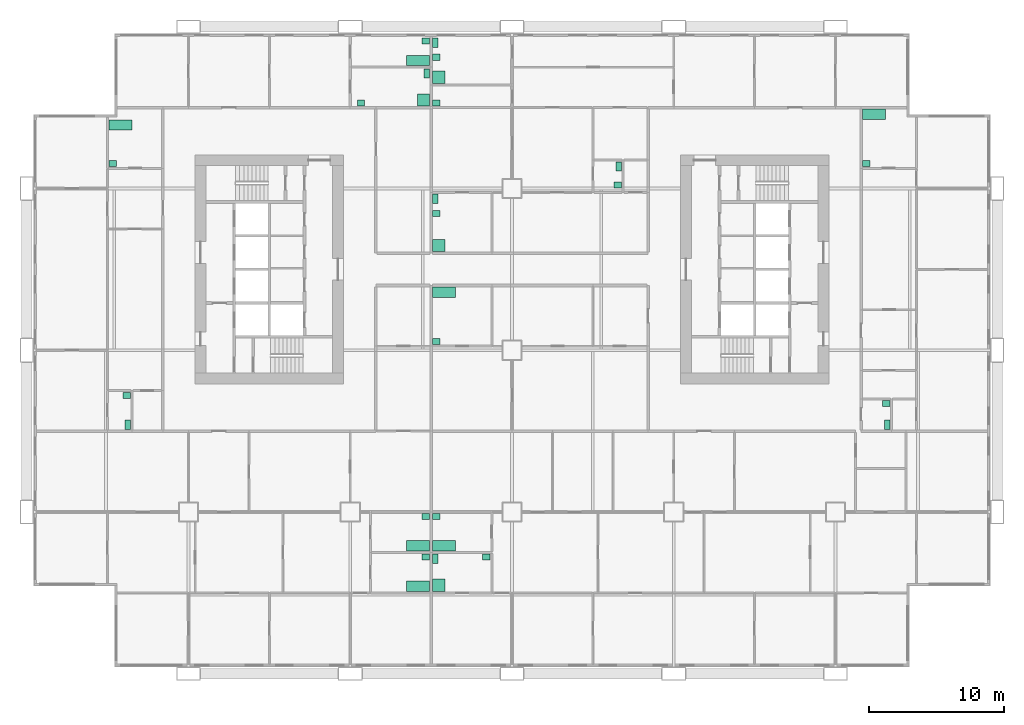
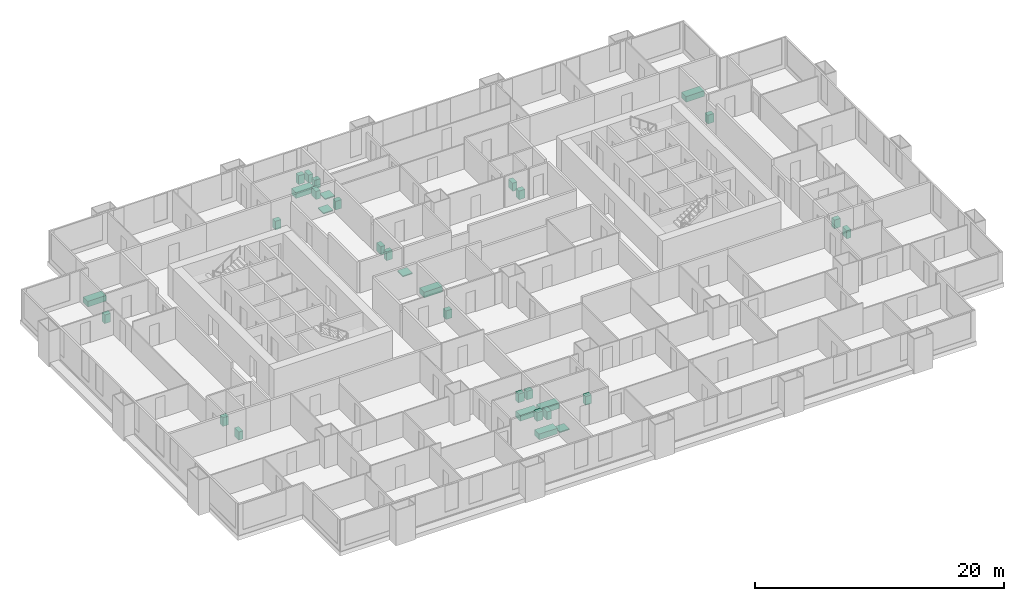
# One storey, part 14 of 14: 33 sanitary terminals.
"""IFC4 building model written with IfcOpenShell, lengths in metres."""

from ifc_helpers import new_model, si_unit, direction, frame, origin, origin_2d, place, context, subcontext, project, spatial, rectangle, extrude, material, type_object, element, save


model = new_model("IFC4")

# Units and contexts
model_context = context("Model", 3, precision=1e-05, world=origin(), true_north=direction((0.0, 1.0)))
body_context = subcontext(model_context, "Body", "Model", "MODEL_VIEW")
ifc_project = project(units=[si_unit("LENGTHUNIT", "METRE"), si_unit("AREAUNIT", "SQUARE_METRE"), si_unit("VOLUMEUNIT", "CUBIC_METRE"), si_unit("PLANEANGLEUNIT", "RADIAN"), si_unit("MASSUNIT", "GRAM", prefix="KILO")], contexts=[model_context])

# Site, building, storey
site_placement = place(None, origin())
site = spatial("IfcSite", under=ifc_project, at=site_placement, CompositionType="ELEMENT")
building_placement = place(site_placement, origin())
building = spatial("IfcBuilding", under=site, at=building_placement, Name="Kitamizu Gate Tower and Museum", CompositionType="ELEMENT")
storey_placement = place(building_placement, frame((0.0, 0.0, 43.800048828125)))
storey = spatial("IfcBuildingStorey", under=building, at=storey_placement, Name="L09", CompositionType="ELEMENT", Elevation=43.800048828125)

# Sanitary terminals
ifc_material_1 = material(Name="Acrylic")
sanitary_terminal_type_1 = type_object("IfcSanitaryTerminalType", Name="Bath", PredefinedType="BATH", material=ifc_material_1)
for number, where, z_axis, x_axis, name in (
    (1, (29.030029296875, 6.4951171875, 0.0009765625), (0.0, 0.0, 1.0), (1.0, 0.0, 0.0), "Bath Bathroom and WC 09A"),
    (2, (29.030029296875, 9.4951171875, 0.0009765625), (0.0, 0.0, 1.0), (1.0, 0.0, 0.0), "Bath Bathroom 09A"),
    (3, (30.969970703125, 9.4951171875, 0.0009765625), (0.0, 0.0, 1.0), (1.0, 0.0, 0.0), "Bath Bathroom 09B"),
    (4, (30.969970703125, 28.304931640625, 0.0009765625), (0.0, 0.0, 1.0), (1.0, 0.0, 0.0), "Bath Bathroom and WC 09C"),
    (5, (29.030029296875, 45.4951171875, 0.0009765625), (0.0, 0.0, 1.0), (1.0, 0.0, 0.0), "Bath Bathroom 09D"),
    (6, (6.969970703125, 40.705078125, 0.0009765625), (0.0, 0.0, 1.0), (1.0, 0.0, 0.0), "Bath Bathroom 09F"),
    (7, (62.8701171875, 41.5048828125, 0.0009765625), (0.0, 0.0, 1.0), (1.0, 0.0, 0.0), "Bath Bathroom 09H"),
):
    element("IfcSanitaryTerminal", number, at=place(storey_placement, frame(where, z_axis=z_axis, x_axis=x_axis)), inside=storey, type_object=sanitary_terminal_type_1, Name=name, PredefinedType="BATH", context=body_context, shape_type="SweptSolid", body=[
        extrude(rectangle(XDim=1.699951171875, YDim=0.75, at=origin_2d()), origin(), (0.0, 0.0, 1.0), 0.550048828125),
    ])
ifc_material_2 = material(Name="Acrylic")
sanitary_terminal_type_2 = type_object("IfcSanitaryTerminalType", Name="Shower tray", PredefinedType="SHOWER", material=ifc_material_2)
for number, where, z_axis, x_axis, name in (
    (8, (30.570068359375, 6.570068359375, 0.0009765625), (0.0, 0.0, 1.0), (1.0, 0.0, 0.0), "Shower tray En-suite bathroom and WC 09B"),
    (9, (29.429931640625, 42.570068359375, 0.0009765625), (0.0, 0.0, 1.0), (1.0, 0.0, 0.0), "Shower tray En-suite bathroom and WC 09D"),
    (10, (30.570068359375, 44.25, 0.0009765625), (0.0, 0.0, 1.0), (1.0, 0.0, 0.0), "Shower tray En-suite bathroom 09G"),
    (11, (30.570068359375, 31.77001953125, 0.0009765625), (0.0, 0.0, 1.0), (1.0, 0.0, 0.0), "Shower tray En-suite bathroom 09G"),
):
    element("IfcSanitaryTerminal", number, at=place(storey_placement, frame(where, z_axis=z_axis, x_axis=x_axis)), inside=storey, type_object=sanitary_terminal_type_2, Name=name, PredefinedType="SHOWER", context=body_context, shape_type="SweptSolid", body=[
        extrude(rectangle(XDim=0.89990234375, YDim=0.89990234375, at=origin_2d()), origin(), (0.0, 0.0, 1.0), 0.10009765625),
    ])
ifc_material_3 = material(Name="Vitreous china")
sanitary_terminal_type_3 = type_object("IfcSanitaryTerminalType", Name="Wash hand basin", PredefinedType="WASHHANDBASIN", material=ifc_material_3)
for number, where, z_axis, x_axis, name in (
    (12, (29.60498046875, 8.655029296875, 0.0009765625), (0.0, 0.0, 1.0), (1.0, 0.0, 0.0), "Wash hand basin Bathroom and WC 09A"),
    (13, (29.60498046875, 11.655029296875, 0.0009765625), (0.0, 0.0, 1.0), (1.0, 0.0, 0.0), "Wash hand basin Bathroom 09A"),
    (14, (34.10498046875, 8.655029296875, 0.0009765625), (0.0, 0.0, 1.0), (1.0, 0.0, 0.0), "Wash hand basin En-suite bathroom and WC 09B"),
    (15, (30.39501953125, 11.655029296875, 0.0009765625), (0.0, 0.0, 1.0), (1.0, 0.0, 0.0), "Wash hand basin Bathroom 09B"),
    (16, (30.39501953125, 24.64501953125, 0.0009765625), (0.0, 0.0, 1.0), (1.0, 0.0, 0.0), "Wash hand basin Bathroom and WC 09C"),
    (17, (24.794921875, 42.344970703125, 0.0009765625), (0.0, 0.0, 1.0), (1.0, 0.0, 0.0), "Wash hand basin En-suite bathroom and WC 09D"),
    (18, (29.60498046875, 46.93505859375, 0.0009765625), (0.0, 0.0, 1.0), (1.0, 0.0, 0.0), "Wash hand basin Bathroom 09D"),
    (19, (7.405029296875, 20.655029296875, 0.0009765625), (0.0, 0.0, 1.0), (1.0, 0.0, 0.0), "Wash hand basin WC 09F"),
    (20, (6.39501953125, 37.844970703125, 0.0009765625), (0.0, 0.0, 1.0), (1.0, 0.0, 0.0), "Wash hand basin Bathroom 09F"),
    (21, (30.39501953125, 45.735107421875, 0.0009765625), (0.0, 0.0, 1.0), (1.0, 0.0, 0.0), "Wash hand basin En-suite bathroom 09G"),
    (22, (30.39501953125, 42.344970703125, 0.0009765625), (0.0, 0.0, 1.0), (1.0, 0.0, 0.0), "Wash hand basin Wash room 09G"),
    (23, (43.85498046875, 36.2451171875, 0.0009765625), (0.0, 0.0, 1.0), (1.0, 0.0, 0.0), "Wash hand basin WC 09G"),
    (24, (30.39501953125, 34.155029296875, 0.0009765625), (0.0, 0.0, 1.0), (1.0, 0.0, 0.0), "Wash hand basin En-suite bathroom 09G"),
    (25, (63.7548828125, 20.054931640625, 0.0009765625), (0.0, 0.0, 1.0), (1.0, 0.0, 0.0), "Wash hand basin WC 09H"),
    (26, (62.294921875, 37.844970703125, 0.0009765625), (0.0, 0.0, 1.0), (1.0, 0.0, 0.0), "Wash hand basin Bathroom 09H"),
):
    element("IfcSanitaryTerminal", number, at=place(storey_placement, frame(where, z_axis=z_axis, x_axis=x_axis)), inside=storey, type_object=sanitary_terminal_type_3, Name=name, PredefinedType="WASHHANDBASIN", context=body_context, shape_type="SweptSolid", body=[
        extrude(rectangle(XDim=0.550048828125, YDim=0.449951171875, at=origin_2d()), origin(), (0.0, 0.0, 1.0), 0.85009765625),
    ])
ifc_material_4 = material(Name="Vitreous china")
sanitary_terminal_type_4 = type_object("IfcSanitaryTerminalType", Name="Water closet", PredefinedType="TOILETPAN", material=ifc_material_4)
for number, where, z_axis, x_axis, name in (
    (27, (30.320068359375, 8.530029296875, 0.0009765625), (0.0, 0.0, 1.0), (1.0, 0.0, 0.0), "Water closet En-suite bathroom and WC 09B"),
    (28, (29.679931640625, 44.530029296875, 0.0009765625), (0.0, 0.0, 1.0), (1.0, 0.0, 0.0), "Water closet En-suite bathroom and WC 09D"),
    (29, (7.47998046875, 18.469970703125, 0.0009765625), (0.0, 0.0, 1.0), (1.0, 0.0, 0.0), "Water closet WC 09F"),
    (30, (30.320068359375, 46.81005859375, 0.0009765625), (0.0, 0.0, 1.0), (1.0, 0.0, 0.0), "Water closet En-suite bathroom 09G"),
    (31, (43.929931640625, 37.6298828125, 0.0009765625), (0.0, 0.0, 1.0), (1.0, 0.0, 0.0), "Water closet WC 09G"),
    (32, (30.320068359375, 35.22998046875, 0.0009765625), (0.0, 0.0, 1.0), (1.0, 0.0, 0.0), "Water closet En-suite bathroom 09G"),
    (33, (63.830078125, 18.469970703125, 0.0009765625), (0.0, 0.0, 1.0), (1.0, 0.0, 0.0), "Water closet WC 09H"),
):
    element("IfcSanitaryTerminal", number, at=place(storey_placement, frame(where, z_axis=z_axis, x_axis=x_axis)), inside=storey, type_object=sanitary_terminal_type_4, Name=name, PredefinedType="TOILETPAN", context=body_context, shape_type="SweptSolid", body=[
        extrude(rectangle(XDim=0.39990234375, YDim=0.699951171875, at=origin_2d()), origin(), (0.0, 0.0, 1.0), 0.800048828125),
    ])

save(model, "model.ifc")
